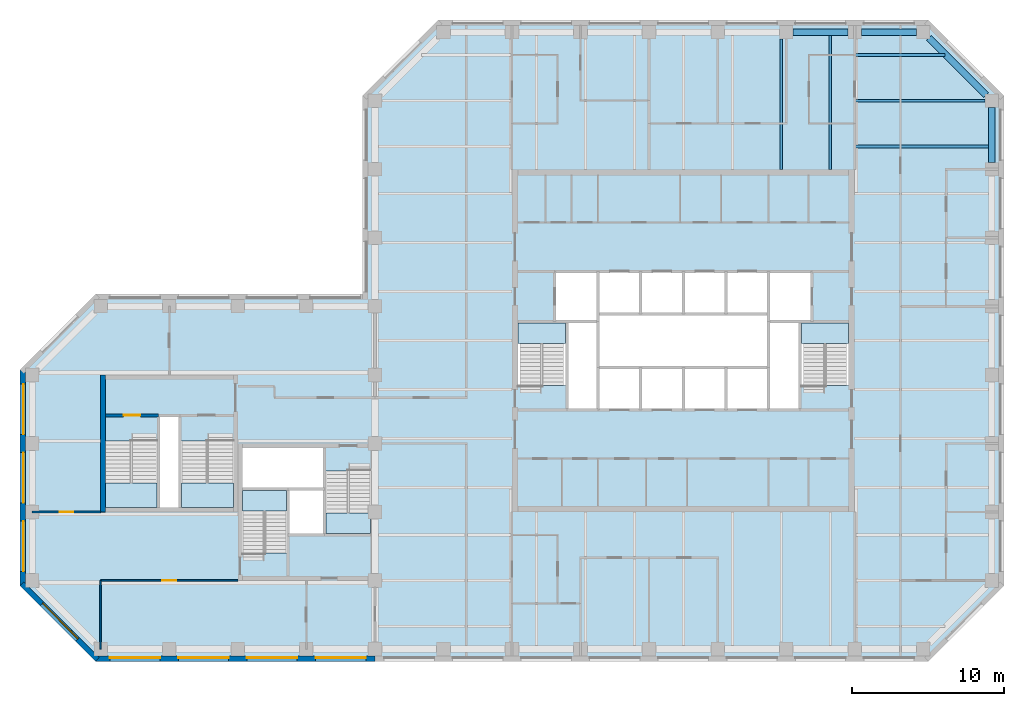
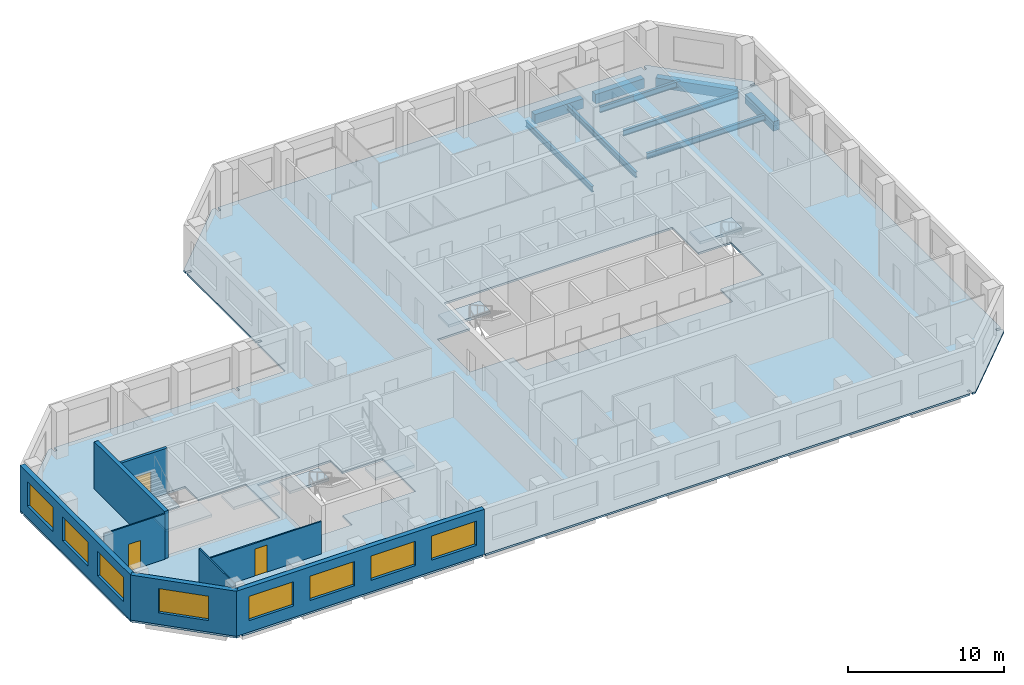
# One storey, part 2 of 9: 9 beams, 8 walls, 8 windows, 7 slabs, 3 doors, 11 openings, 6 elements without a shape of their own.
"""IFC4 building model written with IfcOpenShell, lengths in metres."""

from ifc_helpers import new_model, si_unit, direction, frame, frame_2d, origin, origin_2d, place, context, subcontext, project, spatial, polyline, rectangle, i_section, outline, extrude, material, layer, layer_set, constituent, constituent_set, material_profile, profile_set, type_object, element, fill, aggregate, save


model = new_model("IFC4")

# Units and contexts
model_context = context("Model", 3, precision=1e-05, world=origin(), true_north=direction((0.0, 1.0)))
body_context = subcontext(model_context, "Body", "Model", "MODEL_VIEW")
ifc_project = project(units=[si_unit("LENGTHUNIT", "METRE"), si_unit("AREAUNIT", "SQUARE_METRE"), si_unit("VOLUMEUNIT", "CUBIC_METRE"), si_unit("PLANEANGLEUNIT", "RADIAN"), si_unit("MASSUNIT", "GRAM", prefix="KILO")], contexts=[model_context])

# Site, building, storey
site_placement = place(None, origin())
site = spatial("IfcSite", under=ifc_project, at=site_placement, CompositionType="ELEMENT")
building_placement = place(site_placement, origin())
building = spatial("IfcBuilding", under=site, at=building_placement, Name="Quoin Convention Tower", CompositionType="ELEMENT")
storey_placement = place(building_placement, frame((0.0, 0.0, 248.89990234375)))
storey = spatial("IfcBuildingStorey", under=building, at=storey_placement, Name="L65", CompositionType="ELEMENT", Elevation=248.89990234375)

# Beams
ifc_material_1 = material(Name="Steel Grade 300", Category="steel")
ifc_material_profile_1 = material_profile(ifc_material_1, i_section(OverallWidth=0.18994140625, OverallDepth=0.4541015625, WebThickness=0.008544921875, FlangeThickness=0.0126953125, FilletRadius=0.011474609375, at=origin_2d()), Name="460UB67.1")
ifc_profile_set_1 = profile_set([ifc_material_profile_1], Name="Steel Grade 300")
beam_type_1 = type_object("IfcBeamType", Name="460UB67.1", PredefinedType="BEAM", material=ifc_profile_set_1)
beam_1_placement = place(storey_placement, frame((62.6787109375, 72.0, -0.376953125), z_axis=(0.0, 1.0, 0.0), x_axis=(-1.0, 0.0, 0.0)))
element("IfcBeam", 1, at=beam_1_placement, inside=storey, type_object=beam_type_1, Name="bm-L65-T1N5", PredefinedType="BEAM", context=body_context, shape_type="SweptSolid", body=[
    extrude(i_section(OverallWidth=0.18994140625, OverallDepth=0.4541015625, WebThickness=0.008544921875, FlangeThickness=0.0126953125, FilletRadius=0.011474609375, at=origin_2d()), origin(), (0.0, 0.0, 1.0), 8.550048828125),
])
beam_2_placement = place(storey_placement, frame((65.892822265625, 72.0, -0.376953125), z_axis=(0.0, 1.0, 0.0), x_axis=(-1.0, 0.0, 0.0)))
element("IfcBeam", 2, at=beam_2_placement, inside=storey, type_object=beam_type_1, Name="bm-L65-T1N6", PredefinedType="BEAM", context=body_context, shape_type="SweptSolid", body=[
    extrude(i_section(OverallWidth=0.18994140625, OverallDepth=0.4541015625, WebThickness=0.008544921875, FlangeThickness=0.0126953125, FilletRadius=0.011474609375, at=origin_2d()), origin(), (0.0, 0.0, 1.0), 8.77490234375),
])
beam_3_placement = place(storey_placement, frame((67.5, 79.5, -0.376953125), z_axis=(1.0, 0.0, 0.0), x_axis=(0.0, 1.0, 0.0)))
element("IfcBeam", 3, at=beam_3_placement, inside=storey, type_object=beam_type_1, Name="bm-L65-T1NE0", PredefinedType="BEAM", context=body_context, shape_type="SweptSolid", body=[
    extrude(i_section(OverallWidth=0.18994140625, OverallDepth=0.4541015625, WebThickness=0.008544921875, FlangeThickness=0.0126953125, FilletRadius=0.011474609375, at=origin_2d()), origin(), (0.0, 0.0, 1.0), 5.935791015625),
])
beam_4_placement = place(storey_placement, frame((67.5, 76.5, -0.376953125), z_axis=(1.0, 0.0, 0.0), x_axis=(0.0, 1.0, 0.0)))
element("IfcBeam", 4, at=beam_4_placement, inside=storey, type_object=beam_type_1, Name="bm-L65-T1NE1", PredefinedType="BEAM", context=body_context, shape_type="SweptSolid", body=[
    extrude(i_section(OverallWidth=0.18994140625, OverallDepth=0.4541015625, WebThickness=0.008544921875, FlangeThickness=0.0126953125, FilletRadius=0.011474609375, at=origin_2d()), origin(), (0.0, 0.0, 1.0), 8.550048828125),
])
beam_5_placement = place(storey_placement, frame((67.5, 73.5, -0.376953125), z_axis=(1.0, 0.0, 0.0), x_axis=(0.0, 1.0, 0.0)))
element("IfcBeam", 5, at=beam_5_placement, inside=storey, type_object=beam_type_1, Name="bm-L65-T1NE2", PredefinedType="BEAM", context=body_context, shape_type="SweptSolid", body=[
    extrude(i_section(OverallWidth=0.18994140625, OverallDepth=0.4541015625, WebThickness=0.008544921875, FlangeThickness=0.0126953125, FilletRadius=0.011474609375, at=origin_2d()), origin(), (0.0, 0.0, 1.0), 8.77490234375),
])
ifc_material_2 = material(Name="Concrete C50", Category="concrete")
ifc_material_profile_2 = material_profile(ifc_material_2, rectangle(XDim=0.449951171875, YDim=0.75, at=origin_2d()), Name="RC 450x750")
ifc_profile_set_2 = profile_set([ifc_material_profile_2], Name="Concrete C50")
beam_type_2 = type_object("IfcBeamType", Name="RC 450x750 C50", PredefinedType="SPANDREL", material=ifc_profile_set_2)
beam_6_placement = place(storey_placement, frame((76.5, 72.449951171875, -0.52490234375), z_axis=(0.0, 1.0, 0.0), x_axis=(-1.0, 0.0, 0.0)))
element("IfcBeam", 6, at=beam_6_placement, inside=storey, type_object=beam_type_2, Name="spd-L65-76500_72000-76500_76500", PredefinedType="SPANDREL", context=body_context, shape_type="SweptSolid", body=[
    extrude(rectangle(XDim=0.449951171875, YDim=0.75, at=origin_2d()), origin(), (0.0, 0.0, 1.0), 3.60009765625),
])
beam_7_placement = place(storey_placement, frame((76.135009765625, 76.864990234375, -0.52490234375), z_axis=(-0.707106781187, 0.707106781187, 0.0), x_axis=(-0.707106781187, -0.707106781187, 0.0)))
element("IfcBeam", 7, at=beam_7_placement, inside=storey, type_object=beam_type_2, Name="spd-L65-76500_76500-72000_81000", PredefinedType="SPANDREL", context=body_context, shape_type="SweptSolid", body=[
    extrude(rectangle(XDim=0.449951171875, YDim=0.75, at=origin_2d()), origin(), (0.0, 0.0, 1.0), 5.33154296875),
])
for number, where, z_axis, x_axis, name in (
    (8, (71.550048828125, 81.0, -0.52490234375), (-1.0, 0.0, 0.0), (0.0, -1.0, 0.0), "spd-L65-72000_81000-67500_81000"),
    (9, (67.050048828125, 81.0, -0.52490234375), (-1.0, 0.0, 0.0), (0.0, -1.0, 0.0), "spd-L65-67500_81000-63000_81000"),
):
    element("IfcBeam", number, at=place(storey_placement, frame(where, z_axis=z_axis, x_axis=x_axis)), inside=storey, type_object=beam_type_2, Name=name, PredefinedType="SPANDREL", context=body_context, shape_type="SweptSolid", body=[
        extrude(rectangle(XDim=0.449951171875, YDim=0.75, at=origin_2d()), origin(), (0.0, 0.0, 1.0), 3.60009765625),
    ])

# Slab
ifc_material_3 = material(Name="Concrete C40", Category="concrete")
ifc_layer_1 = layer(ifc_material_3, 0.14990234375)
ifc_layer_set_1 = layer_set([ifc_layer_1], Name="Concrete C40")
slab_type_1 = type_object("IfcSlabType", Name="COMPOSITE SLAB 150 C40", PredefinedType="FLOOR", material=ifc_layer_set_1)
slab_1_placement = place(storey_placement, frame((0.0, 0.0, -0.14990234375)))
element("IfcSlab", 10, at=slab_1_placement, inside=storey, type_object=slab_type_1, Name="slb-L65", PredefinedType="FLOOR", context=body_context, shape_type="SweptSolid", body=[
    extrude(outline(polyline([(12.699951171875, 44.668701171875), (12.699951171875, 44.905029296875), (13.070068359375, 44.905029296875), (13.070068359375, 45.094970703125), (12.699951171875, 45.094970703125), (12.699951171875, 58.405029296875), (13.070068359375, 58.405029296875), (13.070068359375, 58.594970703125), (12.699951171875, 58.594970703125), (12.699951171875, 58.831298828125), (17.668701171875, 63.800048828125), (17.905029296875, 63.800048828125), (17.905029296875, 63.429931640625), (18.094970703125, 63.429931640625), (18.094970703125, 63.800048828125), (31.405029296875, 63.800048828125), (31.405029296875, 63.429931640625), (31.594970703125, 63.429931640625), (31.594970703125, 63.800048828125), (35.199951171875, 63.800048828125), (35.199951171875, 67.405029296875), (35.570068359375, 67.405029296875), (35.570068359375, 67.594970703125), (35.199951171875, 67.594970703125), (35.199951171875, 76.405029296875), (35.570068359375, 76.405029296875), (35.570068359375, 76.594970703125), (35.199951171875, 76.594970703125), (35.199951171875, 76.831298828125), (40.168701171875, 81.800048828125), (40.405029296875, 81.800048828125), (40.405029296875, 81.429931640625), (40.594970703125, 81.429931640625), (40.594970703125, 81.800048828125), (71.905029296875, 81.800048828125), (71.905029296875, 81.429931640625), (72.094970703125, 81.429931640625), (72.094970703125, 81.800048828125), (72.331298828125, 81.800048828125), (77.300048828125, 76.831298828125), (77.300048828125, 76.594970703125), (76.929931640625, 76.594970703125), (76.929931640625, 76.405029296875), (77.300048828125, 76.405029296875), (77.300048828125, 45.094970703125), (76.929931640625, 45.094970703125), (76.929931640625, 44.905029296875), (77.300048828125, 44.905029296875), (77.300048828125, 44.668701171875), (72.331298828125, 39.699951171875), (72.094970703125, 39.699951171875), (72.094970703125, 40.070068359375), (71.905029296875, 40.070068359375), (71.905029296875, 39.699951171875), (36.094970703125, 39.699951171875), (36.094970703125, 40.070068359375), (35.905029296875, 40.070068359375), (35.905029296875, 39.699951171875), (18.094970703125, 39.699951171875), (18.094970703125, 40.070068359375), (17.905029296875, 40.070068359375), (17.905029296875, 39.699951171875), (17.668701171875, 39.699951171875), (12.699951171875, 44.668701171875)]), holes=[polyline([(27.300048828125, 46.800537109375), (30.300048828125, 46.800537109375), (30.300048828125, 48.0), (32.699951171875, 48.0), (35.699951171875, 48.0), (35.699951171875, 52.199462890625), (32.699951171875, 52.199462890625), (32.699951171875, 53.699951171875), (27.300048828125, 53.699951171875), (27.300048828125, 51.0), (27.300048828125, 46.800537109375)]), polyline([(21.800048828125, 49.800048828125), (23.199951171875, 49.800048828125), (26.699951171875, 49.800048828125), (26.699951171875, 54.1494140625), (23.199951171875, 54.1494140625), (23.199951171875, 55.85009765625), (21.800048828125, 55.85009765625), (21.800048828125, 54.1494140625), (18.300048828125, 54.1494140625), (18.300048828125, 49.800048828125), (21.800048828125, 49.800048828125)]), polyline([(50.64990234375, 56.199951171875), (53.449951171875, 56.199951171875), (56.25, 56.199951171875), (59.050048828125, 56.199951171875), (61.85009765625, 56.199951171875), (63.89990234375, 56.199951171875), (63.89990234375, 57.800537109375), (67.10009765625, 57.800537109375), (67.10009765625, 62.0), (64.699951171875, 62.0), (64.699951171875, 65.300048828125), (61.85009765625, 65.300048828125), (59.050048828125, 65.300048828125), (56.25, 65.300048828125), (53.449951171875, 65.300048828125), (50.64990234375, 65.300048828125), (47.800048828125, 65.300048828125), (47.800048828125, 62.0), (45.39990234375, 62.0), (45.39990234375, 57.800537109375), (48.60009765625, 57.800537109375), (48.60009765625, 56.199951171875), (50.64990234375, 56.199951171875)])]), origin(), (0.0, 0.0, 1.0), 0.14990234375),
])

# Stair, slab
stair_type_1 = type_object("IfcStairType", Name="Exit stair two-flight 1350", PredefinedType="HALF_TURN_STAIR", material=ifc_material_3)
stair_1_placement = place(storey_placement, origin())
stair_1 = element("IfcStair", 11, at=stair_1_placement, inside=storey, type_object=stair_type_1, Name="SD1 L65", PredefinedType="HALF_TURN_STAIR")
ifc_layer_2 = layer(ifc_material_3, 0.199951171875)
ifc_layer_set_2 = layer_set([ifc_layer_2], Name="Concrete C40")
slab_type_2 = type_object("IfcSlabType", Name="Stair landing 200", PredefinedType="LANDING", material=ifc_layer_set_2)
slab_2_placement = place(storey_placement, frame((0.0, 0.0, 1.79248046875)))
slab_2 = element("IfcSlab", 12, at=slab_2_placement, type_object=slab_type_2, Name="ST1 landing 1", PredefinedType="LANDING", context=body_context, shape_type="SweptSolid", body=[
    extrude(outline(polyline([(45.39990234375, 60.550048828125), (48.5, 60.550048828125), (48.5, 61.89990234375), (45.39990234375, 61.89990234375), (45.39990234375, 60.550048828125)])), origin(), (0.0, 0.0, 1.0), 0.199951171875),
])
aggregate(stair_1, [slab_2])

stair_2_placement = place(storey_placement, origin())
stair_2 = element("IfcStair", 13, at=stair_2_placement, inside=storey, type_object=stair_type_1, Name="SD2 L65", PredefinedType="HALF_TURN_STAIR")
slab_3_placement = place(storey_placement, frame((0.0, 0.0, 1.79248046875)))
slab_3 = element("IfcSlab", 14, at=slab_3_placement, type_object=slab_type_2, Name="ST2 landing 1", PredefinedType="LANDING", context=body_context, shape_type="SweptSolid", body=[
    extrude(outline(polyline([(64.0, 60.550048828125), (67.10009765625, 60.550048828125), (67.10009765625, 61.89990234375), (64.0, 61.89990234375), (64.0, 60.550048828125)])), origin(), (0.0, 0.0, 1.0), 0.199951171875),
])
aggregate(stair_2, [slab_3])

stair_3_placement = place(storey_placement, origin())
stair_3 = element("IfcStair", 15, at=stair_3_placement, inside=storey, type_object=stair_type_1, Name="SD3 L65", PredefinedType="HALF_TURN_STAIR")
slab_4_placement = place(storey_placement, frame((0.0, 0.0, 1.79248046875)))
slab_4 = element("IfcSlab", 16, at=slab_4_placement, type_object=slab_type_2, Name="ST3 landing 1", PredefinedType="LANDING", context=body_context, shape_type="SweptSolid", body=[
    extrude(outline(polyline([(27.300048828125, 49.550048828125), (30.199951171875, 49.550048828125), (30.199951171875, 50.89990234375), (27.300048828125, 50.89990234375), (27.300048828125, 49.550048828125)])), origin(), (0.0, 0.0, 1.0), 0.199951171875),
])
aggregate(stair_3, [slab_4])

stair_4_placement = place(storey_placement, origin())
stair_4 = element("IfcStair", 17, at=stair_4_placement, inside=storey, type_object=stair_type_1, Name="SD4 L65", PredefinedType="HALF_TURN_STAIR")
slab_5_placement = place(storey_placement, frame((0.0, 0.0, 1.79248046875)))
slab_5 = element("IfcSlab", 18, at=slab_5_placement, type_object=slab_type_2, Name="ST4 landing 1", PredefinedType="LANDING", context=body_context, shape_type="SweptSolid", body=[
    extrude(outline(polyline([(35.699951171875, 49.449951171875), (32.800048828125, 49.449951171875), (32.800048828125, 48.10009765625), (35.699951171875, 48.10009765625), (35.699951171875, 49.449951171875)])), origin(), (0.0, 0.0, 1.0), 0.199951171875),
])
aggregate(stair_4, [slab_5])

stair_type_2 = type_object("IfcStairType", Name="Exit stair two-flight 1600", PredefinedType="HALF_TURN_STAIR", material=ifc_material_3)
stair_5_placement = place(storey_placement, origin())
stair_5 = element("IfcStair", 19, at=stair_5_placement, inside=storey, type_object=stair_type_2, Name="SD11 L65", PredefinedType="HALF_TURN_STAIR")
slab_6_placement = place(storey_placement, frame((0.0, 0.0, 1.79248046875)))
slab_6 = element("IfcSlab", 20, at=slab_6_placement, type_object=slab_type_2, Name="ST11 landing 1", PredefinedType="LANDING", context=body_context, shape_type="SweptSolid", body=[
    extrude(outline(polyline([(21.699951171875, 51.39990234375), (18.300048828125, 51.39990234375), (18.300048828125, 49.800048828125), (21.699951171875, 49.800048828125), (21.699951171875, 51.39990234375)])), origin(), (0.0, 0.0, 1.0), 0.199951171875),
])
aggregate(stair_5, [slab_6])

stair_6_placement = place(storey_placement, origin())
stair_6 = element("IfcStair", 21, at=stair_6_placement, inside=storey, type_object=stair_type_2, Name="SD12 L65", PredefinedType="HALF_TURN_STAIR")
slab_7_placement = place(storey_placement, frame((0.0, 0.0, 1.79248046875)))
slab_7 = element("IfcSlab", 22, at=slab_7_placement, type_object=slab_type_2, Name="ST12 landing 1", PredefinedType="LANDING", context=body_context, shape_type="SweptSolid", body=[
    extrude(outline(polyline([(26.699951171875, 51.39990234375), (23.300048828125, 51.39990234375), (23.300048828125, 49.800048828125), (26.699951171875, 49.800048828125), (26.699951171875, 51.39990234375)])), origin(), (0.0, 0.0, 1.0), 0.199951171875),
])
aggregate(stair_6, [slab_7])

# Wall, openings, windows
ifc_material_4 = material(Name="Brick masonry", Category="masonry")
ifc_layer_3 = layer(ifc_material_4, 0.35009765625)
ifc_layer_set_3 = layer_set([ifc_layer_3], Name="Brick masonry")
wall_type_1 = type_object("IfcWallType", Name="Brick facade wall", PredefinedType="STANDARD", material=ifc_layer_set_3)
wall_1_placement = place(storey_placement, frame((12.875, 58.831298828125, 0.0), z_axis=(0.0, 0.0, 1.0), x_axis=(0.0, -1.0, 0.0)))
wall_1 = element("IfcWall", 23, at=wall_1_placement, inside=storey, type_object=wall_type_1, Name="fw-L65-13500_58500", PredefinedType="STANDARD", context=body_context, shape_type="SweptSolid", body=[
    extrude(rectangle(XDim=14.16259765625, YDim=0.35009765625, at=frame_2d((7.081298828125, 0.0))), origin(), (0.0, 0.0, 1.0), 3.525146484375),
])
opening_1_placement = place(wall_1_placement, frame((0.931396484375, 0.0, 0.89990234375)))
opening_1 = element("IfcOpeningElement", 24, at=opening_1_placement, cuts=wall_1, Name="Opening W-02", PredefinedType="OPENING", context=body_context, shape_type="SweptSolid", body=[
    extrude(rectangle(XDim=3.300048828125, YDim=1.89990234375, at=frame_2d((1.64990234375, 0.949951171875))), frame((0.0, 0.18505859375, 0.0), z_axis=(0.0, -1.0, 0.0), x_axis=(1.0, 0.0, 0.0)), (0.0, 0.0, 1.0), 0.3701171875),
])
opening_2_placement = place(wall_1_placement, frame((5.431396484375, 0.0, 0.89990234375)))
opening_2 = element("IfcOpeningElement", 25, at=opening_2_placement, cuts=wall_1, Name="Opening W-02", PredefinedType="OPENING", context=body_context, shape_type="SweptSolid", body=[
    extrude(rectangle(XDim=3.300048828125, YDim=1.89990234375, at=frame_2d((1.64990234375, 0.949951171875))), frame((0.0, 0.18505859375, 0.0), z_axis=(0.0, -1.0, 0.0), x_axis=(1.0, 0.0, 0.0)), (0.0, 0.0, 1.0), 0.3701171875),
])
opening_3_placement = place(wall_1_placement, frame((9.931396484375, 0.0, 0.89990234375)))
opening_3 = element("IfcOpeningElement", 26, at=opening_3_placement, cuts=wall_1, Name="Opening W-02", PredefinedType="OPENING", context=body_context, shape_type="SweptSolid", body=[
    extrude(rectangle(XDim=3.300048828125, YDim=1.89990234375, at=frame_2d((1.64990234375, 0.949951171875))), frame((0.0, 0.18505859375, 0.0), z_axis=(0.0, -1.0, 0.0), x_axis=(1.0, 0.0, 0.0)), (0.0, 0.0, 1.0), 0.3701171875),
])
ifc_material_5 = material(Name="Aluminium", Category="aluminium")
ifc_constituent_1 = constituent(ifc_material_5, Name="Frame")
ifc_material_6 = material(Name="Insulated glass", Category="glass")
ifc_constituent_2 = constituent(ifc_material_6, Name="Glazing")
ifc_constituent_set = constituent_set(constituents=[ifc_constituent_1, ifc_constituent_2], Name="Aluminium")
window_type = type_object("IfcWindowType", Name="Office window", PartitioningType="DOUBLE_PANEL_VERTICAL", PredefinedType="WINDOW", material=ifc_constituent_set)
window_1_placement = place(opening_1_placement, origin())
window_1 = element("IfcWindow", 27, at=window_1_placement, inside=storey, type_object=window_type, Name="win-L65-12875_56250", OverallHeight=1.89990234375, OverallWidth=3.300048828125, PartitioningType="SINGLE_PANEL", PredefinedType="WINDOW", context=body_context, shape_type="SweptSolid", body=[
    extrude(rectangle(XDim=3.300048828125, YDim=1.89990234375, at=frame_2d((1.64990234375, 0.949951171875))), frame((0.0, 0.0849609375, 0.0), z_axis=(0.0, -1.0, 0.0), x_axis=(1.0, 0.0, 0.0)), (0.0, 0.0, 1.0), 0.06005859375),
])
fill(opening_1, window_1)
window_2_placement = place(opening_2_placement, origin())
window_2 = element("IfcWindow", 28, at=window_2_placement, inside=storey, type_object=window_type, Name="win-L65-12875_51750", OverallHeight=1.89990234375, OverallWidth=3.300048828125, PartitioningType="SINGLE_PANEL", PredefinedType="WINDOW", context=body_context, shape_type="SweptSolid", body=[
    extrude(rectangle(XDim=3.300048828125, YDim=1.89990234375, at=frame_2d((1.64990234375, 0.949951171875))), frame((0.0, 0.0849609375, 0.0), z_axis=(0.0, -1.0, 0.0), x_axis=(1.0, 0.0, 0.0)), (0.0, 0.0, 1.0), 0.06005859375),
])
fill(opening_2, window_2)
window_3_placement = place(opening_3_placement, origin())
window_3 = element("IfcWindow", 29, at=window_3_placement, inside=storey, type_object=window_type, Name="win-L65-12875_47250", OverallHeight=1.89990234375, OverallWidth=3.300048828125, PartitioningType="SINGLE_PANEL", PredefinedType="WINDOW", context=body_context, shape_type="SweptSolid", body=[
    extrude(rectangle(XDim=3.300048828125, YDim=1.89990234375, at=frame_2d((1.64990234375, 0.949951171875))), frame((0.0, 0.0849609375, 0.0), z_axis=(0.0, -1.0, 0.0), x_axis=(1.0, 0.0, 0.0)), (0.0, 0.0, 1.0), 0.06005859375),
])
fill(opening_3, window_3)

# Wall, opening, window
wall_2_placement = place(storey_placement, frame((12.82373046875, 44.79248046875, 0.0), z_axis=(0.0, 0.0, 1.0), x_axis=(0.707106781187, -0.707106781187, 0.0)))
wall_2 = element("IfcWall", 30, at=wall_2_placement, inside=storey, type_object=wall_type_1, Name="fw-L65-13500_45000", PredefinedType="STANDARD", context=body_context, shape_type="SweptSolid", body=[
    extrude(rectangle(XDim=7.02685546875, YDim=0.35009765625, at=frame_2d((3.513427734375, 0.0))), origin(), (0.0, 0.0, 1.0), 3.525146484375),
])
opening_4_placement = place(wall_2_placement, frame((1.86328125, 0.0, 0.89990234375)))
opening_4 = element("IfcOpeningElement", 31, at=opening_4_placement, cuts=wall_2, Name="Opening W-02", PredefinedType="OPENING", context=body_context, shape_type="SweptSolid", body=[
    extrude(rectangle(XDim=3.300048828125, YDim=1.89990234375, at=frame_2d((1.64990234375, 0.949951171875))), frame((0.0, 0.18505859375, 0.0), z_axis=(0.0, -1.0, 0.0), x_axis=(1.0, 0.0, 0.0)), (0.0, 0.0, 1.0), 0.3701171875),
])
window_4_placement = place(opening_4_placement, origin())
window_4 = element("IfcWindow", 32, at=window_4_placement, inside=storey, type_object=window_type, Name="win-L65-15308_42308", OverallHeight=1.89990234375, OverallWidth=3.300048828125, PartitioningType="SINGLE_PANEL", PredefinedType="WINDOW", context=body_context, shape_type="SweptSolid", body=[
    extrude(rectangle(XDim=3.300048828125, YDim=1.89990234375, at=frame_2d((1.64990234375, 0.949951171875))), frame((0.0, 0.0849609375, 0.0), z_axis=(0.0, -1.0, 0.0), x_axis=(1.0, 0.0, 0.0)), (0.0, 0.0, 1.0), 0.06005859375),
])
fill(opening_4, window_4)

# Wall, openings, windows
wall_3_placement = place(storey_placement, frame((17.668701171875, 39.875, 0.0), z_axis=(0.0, 0.0, 1.0), x_axis=(1.0, 0.0, 0.0)))
wall_3 = element("IfcWall", 33, at=wall_3_placement, inside=storey, type_object=wall_type_1, Name="fw-L65-18000_40500", PredefinedType="STANDARD", context=body_context, shape_type="SweptSolid", body=[
    extrude(rectangle(XDim=18.331298828125, YDim=0.35009765625, at=frame_2d((9.16552734375, 0.0))), origin(), (0.0, 0.0, 1.0), 3.525146484375),
])
opening_5_placement = place(wall_3_placement, frame((0.931396484375, 0.0, 0.89990234375)))
opening_5 = element("IfcOpeningElement", 34, at=opening_5_placement, cuts=wall_3, Name="Opening W-02", PredefinedType="OPENING", context=body_context, shape_type="SweptSolid", body=[
    extrude(rectangle(XDim=3.300048828125, YDim=1.89990234375, at=frame_2d((1.64990234375, 0.949951171875))), frame((0.0, 0.18505859375, 0.0), z_axis=(0.0, -1.0, 0.0), x_axis=(1.0, 0.0, 0.0)), (0.0, 0.0, 1.0), 0.3701171875),
])
opening_6_placement = place(wall_3_placement, frame((5.431396484375, 0.0, 0.89990234375)))
opening_6 = element("IfcOpeningElement", 35, at=opening_6_placement, cuts=wall_3, Name="Opening W-02", PredefinedType="OPENING", context=body_context, shape_type="SweptSolid", body=[
    extrude(rectangle(XDim=3.300048828125, YDim=1.89990234375, at=frame_2d((1.64990234375, 0.949951171875))), frame((0.0, 0.18505859375, 0.0), z_axis=(0.0, -1.0, 0.0), x_axis=(1.0, 0.0, 0.0)), (0.0, 0.0, 1.0), 0.3701171875),
])
opening_7_placement = place(wall_3_placement, frame((9.931396484375, 0.0, 0.89990234375)))
opening_7 = element("IfcOpeningElement", 36, at=opening_7_placement, cuts=wall_3, Name="Opening W-02", PredefinedType="OPENING", context=body_context, shape_type="SweptSolid", body=[
    extrude(rectangle(XDim=3.300048828125, YDim=1.89990234375, at=frame_2d((1.64990234375, 0.949951171875))), frame((0.0, 0.18505859375, 0.0), z_axis=(0.0, -1.0, 0.0), x_axis=(1.0, 0.0, 0.0)), (0.0, 0.0, 1.0), 0.3701171875),
])
opening_8_placement = place(wall_3_placement, frame((14.431396484375, 0.0, 0.89990234375)))
opening_8 = element("IfcOpeningElement", 37, at=opening_8_placement, cuts=wall_3, Name="Opening W-02", PredefinedType="OPENING", context=body_context, shape_type="SweptSolid", body=[
    extrude(rectangle(XDim=3.300048828125, YDim=1.89990234375, at=frame_2d((1.64990234375, 0.949951171875))), frame((0.0, 0.18505859375, 0.0), z_axis=(0.0, -1.0, 0.0), x_axis=(1.0, 0.0, 0.0)), (0.0, 0.0, 1.0), 0.3701171875),
])
window_5_placement = place(opening_5_placement, origin())
window_5 = element("IfcWindow", 38, at=window_5_placement, inside=storey, type_object=window_type, Name="win-L65-20250_39875", OverallHeight=1.89990234375, OverallWidth=3.300048828125, PartitioningType="SINGLE_PANEL", PredefinedType="WINDOW", context=body_context, shape_type="SweptSolid", body=[
    extrude(rectangle(XDim=3.300048828125, YDim=1.89990234375, at=frame_2d((1.64990234375, 0.949951171875))), frame((0.0, 0.0849609375, 0.0), z_axis=(0.0, -1.0, 0.0), x_axis=(1.0, 0.0, 0.0)), (0.0, 0.0, 1.0), 0.06005859375),
])
fill(opening_5, window_5)
window_6_placement = place(opening_6_placement, origin())
window_6 = element("IfcWindow", 39, at=window_6_placement, inside=storey, type_object=window_type, Name="win-L65-24750_39875", OverallHeight=1.89990234375, OverallWidth=3.300048828125, PartitioningType="SINGLE_PANEL", PredefinedType="WINDOW", context=body_context, shape_type="SweptSolid", body=[
    extrude(rectangle(XDim=3.300048828125, YDim=1.89990234375, at=frame_2d((1.64990234375, 0.949951171875))), frame((0.0, 0.0849609375, 0.0), z_axis=(0.0, -1.0, 0.0), x_axis=(1.0, 0.0, 0.0)), (0.0, 0.0, 1.0), 0.06005859375),
])
fill(opening_6, window_6)
window_7_placement = place(opening_7_placement, origin())
window_7 = element("IfcWindow", 40, at=window_7_placement, inside=storey, type_object=window_type, Name="win-L65-29250_39875", OverallHeight=1.89990234375, OverallWidth=3.300048828125, PartitioningType="SINGLE_PANEL", PredefinedType="WINDOW", context=body_context, shape_type="SweptSolid", body=[
    extrude(rectangle(XDim=3.300048828125, YDim=1.89990234375, at=frame_2d((1.64990234375, 0.949951171875))), frame((0.0, 0.0849609375, 0.0), z_axis=(0.0, -1.0, 0.0), x_axis=(1.0, 0.0, 0.0)), (0.0, 0.0, 1.0), 0.06005859375),
])
fill(opening_7, window_7)
window_8_placement = place(opening_8_placement, origin())
window_8 = element("IfcWindow", 41, at=window_8_placement, inside=storey, type_object=window_type, Name="win-L65-33750_39875", OverallHeight=1.89990234375, OverallWidth=3.300048828125, PartitioningType="SINGLE_PANEL", PredefinedType="WINDOW", context=body_context, shape_type="SweptSolid", body=[
    extrude(rectangle(XDim=3.300048828125, YDim=1.89990234375, at=frame_2d((1.64990234375, 0.949951171875))), frame((0.0, 0.0849609375, 0.0), z_axis=(0.0, -1.0, 0.0), x_axis=(1.0, 0.0, 0.0)), (0.0, 0.0, 1.0), 0.06005859375),
])
fill(opening_8, window_8)

# Wall, opening, door
ifc_layer_4 = layer(ifc_material_2, 0.199951171875)
ifc_layer_set_4 = layer_set([ifc_layer_4], Name="Concrete C50")
wall_type_2 = type_object("IfcWallType", Name="Core shaft wall", PredefinedType="SOLIDWALL", material=ifc_layer_set_4)
wall_4_placement = place(storey_placement, frame((18.300048828125, 55.85009765625, 0.0), z_axis=(0.0, 0.0, 1.0), x_axis=(1.0, 0.0, 0.0)))
wall_4 = element("IfcWall", 42, at=wall_4_placement, inside=storey, type_object=wall_type_2, Name="cr-P6-L65-h6350_300", PredefinedType="SOLIDWALL", context=body_context, shape_type="SweptSolid", body=[
    extrude(rectangle(XDim=3.5, YDim=0.199951171875, at=frame_2d((1.75, 0.0))), origin(), (0.0, 0.0, 1.0), 3.550048828125),
])
opening_9_placement = place(wall_4_placement, frame((1.199951171875, 0.0, 0.0)))
opening_9 = element("IfcOpeningElement", 43, at=opening_9_placement, cuts=wall_4, Name="Opening SD11", PredefinedType="OPENING", context=body_context, shape_type="SweptSolid", body=[
    extrude(rectangle(XDim=1.10009765625, YDim=2.10009765625, at=frame_2d((0.550048828125, 1.050048828125))), frame((0.0, 0.10986328125, 0.0), z_axis=(0.0, -1.0, 0.0), x_axis=(1.0, 0.0, 0.0)), (0.0, 0.0, 1.0), 0.219970703125),
])
ifc_material_7 = material(Name="Steel door leaf", Category="steel")
door_type_1 = type_object("IfcDoorType", Name="Stair door 1100 x 2100", OperationType="SINGLE_SWING_RIGHT", PredefinedType="DOOR", material=ifc_material_7)
door_1_placement = place(opening_9_placement, origin())
door_1 = element("IfcDoor", 44, at=door_1_placement, inside=storey, type_object=door_type_1, Name="cd-P6-L65-SA-R2-SD11", OperationType="SINGLE_SWING_RIGHT", OverallHeight=2.10009765625, OverallWidth=1.10009765625, PredefinedType="DOOR", context=body_context, shape_type="SweptSolid", body=[
    extrude(rectangle(XDim=1.10009765625, YDim=2.10009765625, at=frame_2d((0.550048828125, 1.050048828125))), frame((0.0, 0.02490234375, 0.0), z_axis=(0.0, -1.0, 0.0), x_axis=(1.0, 0.0, 0.0)), (0.0, 0.0, 1.0), 0.050048828125),
])
fill(opening_9, door_1)

# Wall
ifc_layer_5 = layer(ifc_material_2, 0.300048828125)
ifc_layer_set_5 = layer_set([ifc_layer_5], Name="Concrete C50")
wall_type_3 = type_object("IfcWallType", Name="RC CORE WALL 300 C50", PredefinedType="SHEAR", material=ifc_layer_set_5)
wall_5_placement = place(storey_placement, frame((18.14990234375, 49.5, 0.0), z_axis=(0.0, 0.0, 1.0), x_axis=(0.0, 1.0, 0.0)))
element("IfcWall", 45, at=wall_5_placement, inside=storey, type_object=wall_type_3, Name="cwl-P6-L65-W", PredefinedType="SHEAR", context=body_context, shape_type="SweptSolid", body=[
    extrude(rectangle(XDim=9.0, YDim=0.300048828125, at=frame_2d((4.5, 0.0))), origin(), (0.0, 0.0, 1.0), 3.7001953125),
])

# Wall, opening, door
ifc_material_8 = material(Name="Plasterboard")
ifc_layer_6 = layer(ifc_material_8, 0.012451171875, Name="Finish")
ifc_material_9 = material(Name="Steel stud framing", Category="steel")
ifc_layer_7 = layer(ifc_material_9, 0.074951171875, Name="Structure")
ifc_layer_8 = layer(ifc_material_8, 0.012451171875, Name="Finish")
ifc_layer_set_6 = layer_set([ifc_layer_6, ifc_layer_7, ifc_layer_8], Name="Steel stud framing")
wall_type_4 = type_object("IfcWallType", Name="Stud partition 100", PredefinedType="PARTITIONING", material=ifc_layer_set_6)
wall_6_placement = place(storey_placement, frame((13.5, 49.5, 0.0), z_axis=(0.0, 0.0, 1.0), x_axis=(1.0, 0.0, 0.0)))
wall_6 = element("IfcWall", 46, at=wall_6_placement, inside=storey, type_object=wall_type_4, Name="pw-L65-w02", PredefinedType="PARTITIONING", context=body_context, shape_type="SweptSolid", body=[
    extrude(rectangle(XDim=4.5, YDim=0.10009765625, at=frame_2d((2.25, 0.0))), origin(), (0.0, 0.0, 1.0), 3.550048828125),
])
opening_10_placement = place(wall_6_placement, frame((1.800048828125, 0.0, 0.0)))
opening_10 = element("IfcOpeningElement", 47, at=opening_10_placement, cuts=wall_6, Name="Opening DOH12-24", PredefinedType="OPENING", context=body_context, shape_type="SweptSolid", body=[
    extrude(rectangle(XDim=0.89990234375, YDim=2.10009765625, at=frame_2d((0.449951171875, 1.050048828125))), frame((0.0, 0.06005859375, 0.0), z_axis=(0.0, -1.0, 0.0), x_axis=(1.0, 0.0, 0.0)), (0.0, 0.0, 1.0), 0.1201171875),
])
door_type_2 = type_object("IfcDoorType", Name="Office door 900 x 2100", OperationType="SINGLE_SWING_RIGHT", PredefinedType="DOOR", material=ifc_material_7)
door_2_placement = place(opening_10_placement, origin())
door_2 = element("IfcDoor", 48, at=door_2_placement, inside=storey, type_object=door_type_2, Name="dr-L65-w03", OperationType="SINGLE_SWING_RIGHT", OverallHeight=2.10009765625, OverallWidth=0.89990234375, PredefinedType="DOOR", context=body_context, shape_type="SweptSolid", body=[
    extrude(rectangle(XDim=0.89990234375, YDim=2.10009765625, at=frame_2d((0.449951171875, 1.050048828125))), frame((0.0, 0.02490234375, 0.0), z_axis=(0.0, -1.0, 0.0), x_axis=(1.0, 0.0, 0.0)), (0.0, 0.0, 1.0), 0.050048828125),
])
fill(opening_10, door_2)

# Wall
wall_7_placement = place(storey_placement, frame((18.0, 40.5, 0.0), z_axis=(0.0, 0.0, 1.0), x_axis=(0.0, 1.0, 0.0)))
element("IfcWall", 49, at=wall_7_placement, inside=storey, type_object=wall_type_4, Name="pw-L65-w03", PredefinedType="PARTITIONING", context=body_context, shape_type="SweptSolid", body=[
    extrude(rectangle(XDim=4.5, YDim=0.10009765625, at=frame_2d((2.25, 0.0))), origin(), (0.0, 0.0, 1.0), 3.550048828125),
])

# Wall, opening, door
ifc_layer_9 = layer(ifc_material_8, 0.012451171875, Name="Finish")
ifc_layer_10 = layer(ifc_material_9, 0.074951171875, Name="Structure")
ifc_layer_11 = layer(ifc_material_8, 0.012451171875, Name="Finish")
ifc_layer_set_7 = layer_set([ifc_layer_9, ifc_layer_10, ifc_layer_11], Name="Steel stud framing")
wall_type_5 = type_object("IfcWallType", Name="Stud partition 100 under beam 1000", PredefinedType="PARTITIONING", material=ifc_layer_set_7)
wall_8_placement = place(storey_placement, frame((18.0, 45.0, 0.0), z_axis=(0.0, 0.0, 1.0), x_axis=(1.0, 0.0, 0.0)))
wall_8 = element("IfcWall", 50, at=wall_8_placement, inside=storey, type_object=wall_type_5, Name="pw-L65-w04", PredefinedType="PARTITIONING", context=body_context, shape_type="SweptSolid", body=[
    extrude(rectangle(XDim=9.0, YDim=0.10009765625, at=frame_2d((4.5, 0.0))), origin(), (0.0, 0.0, 1.0), 2.550048828125),
])
opening_11_placement = place(wall_8_placement, frame((4.050048828125, 0.0, 0.0)))
opening_11 = element("IfcOpeningElement", 51, at=opening_11_placement, cuts=wall_8, Name="Opening DOH12-25", PredefinedType="OPENING", context=body_context, shape_type="SweptSolid", body=[
    extrude(rectangle(XDim=0.89990234375, YDim=2.10009765625, at=frame_2d((0.449951171875, 1.050048828125))), frame((0.0, 0.06005859375, 0.0), z_axis=(0.0, -1.0, 0.0), x_axis=(1.0, 0.0, 0.0)), (0.0, 0.0, 1.0), 0.1201171875),
])
door_3_placement = place(opening_11_placement, origin())
door_3 = element("IfcDoor", 52, at=door_3_placement, inside=storey, type_object=door_type_2, Name="dr-L65-w04", OperationType="SINGLE_SWING_RIGHT", OverallHeight=2.10009765625, OverallWidth=0.89990234375, PredefinedType="DOOR", context=body_context, shape_type="SweptSolid", body=[
    extrude(rectangle(XDim=0.89990234375, YDim=2.10009765625, at=frame_2d((0.449951171875, 1.050048828125))), frame((0.0, 0.02490234375, 0.0), z_axis=(0.0, -1.0, 0.0), x_axis=(1.0, 0.0, 0.0)), (0.0, 0.0, 1.0), 0.050048828125),
])
fill(opening_11, door_3)

save(model, "model.ifc")
